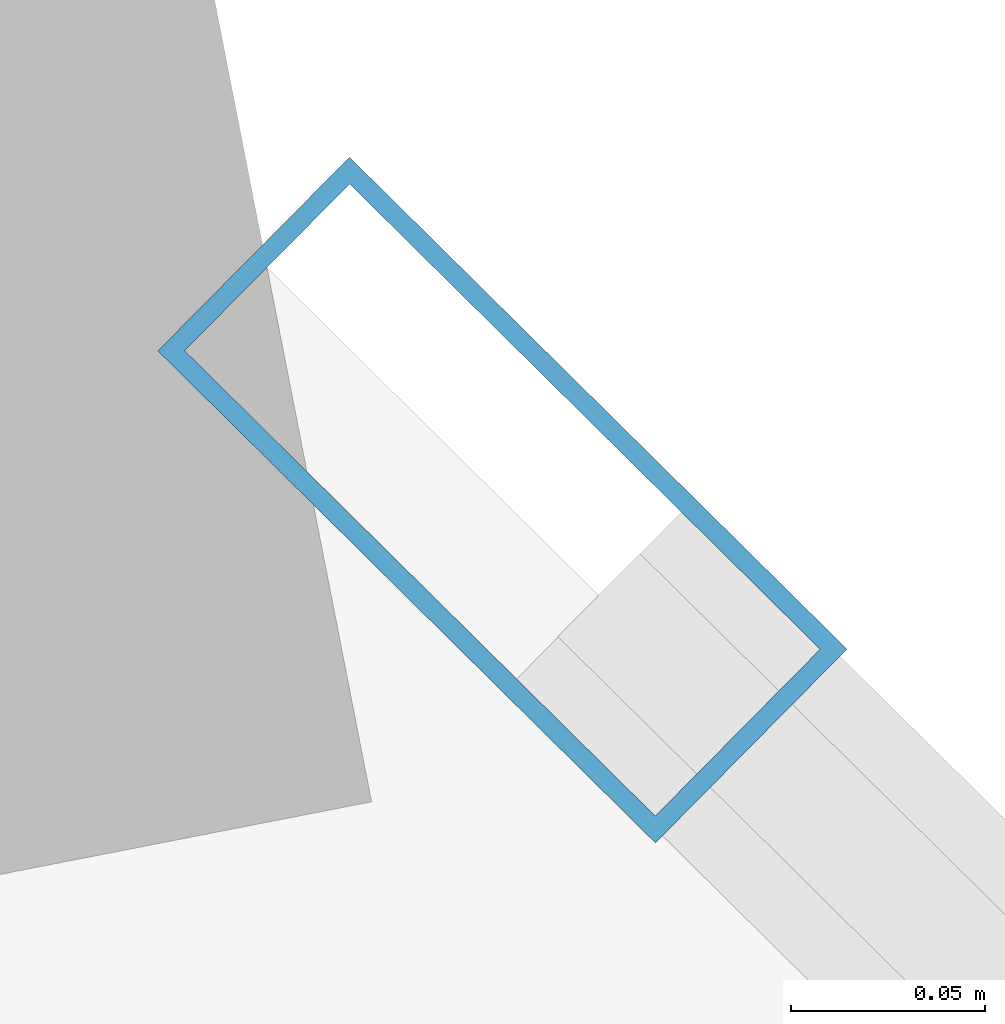
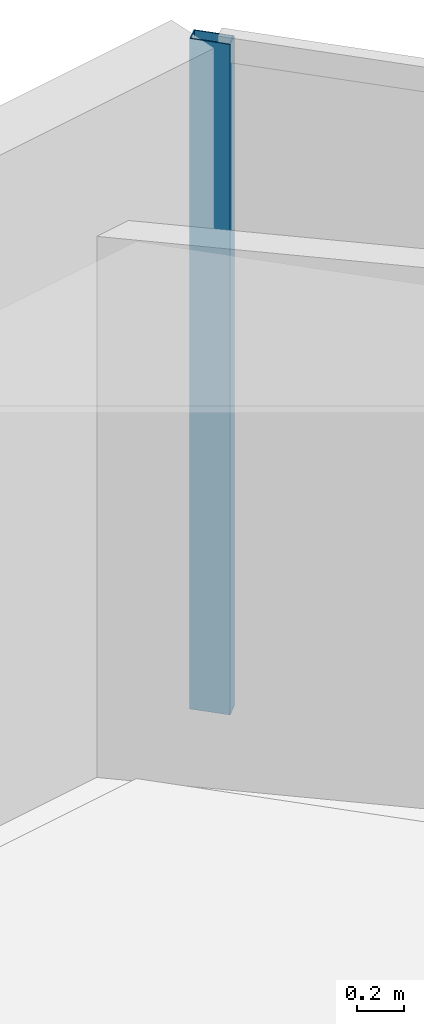
# One storey, part 16 of 24: 1 member, 1 element without a shape of its own.
"""IFC4 building model written with IfcOpenShell, lengths in metres."""

from ifc_helpers import new_model, si_unit, direction, frame, origin, origin_2d, place, context, subcontext, project, spatial, hollow_rectangle, extrude, material, layer, layer_set, material_profile, profile_set, type_object, element, aggregate, save


model = new_model("IFC4")

# Units and contexts
model_context = context("Model", 3, precision=1e-05, world=origin(), true_north=direction((0.0, 1.0)))
body_context = subcontext(model_context, "Body", "Model", "MODEL_VIEW")
ifc_project = project(units=[si_unit("LENGTHUNIT", "METRE"), si_unit("AREAUNIT", "SQUARE_METRE"), si_unit("VOLUMEUNIT", "CUBIC_METRE"), si_unit("PLANEANGLEUNIT", "RADIAN"), si_unit("MASSUNIT", "GRAM", prefix="KILO")], contexts=[model_context])

# Site, building, storey
site_placement = place(None, origin())
site = spatial("IfcSite", under=ifc_project, at=site_placement, CompositionType="ELEMENT")
building_placement = place(site_placement, origin())
building = spatial("IfcBuilding", under=site, at=building_placement, Name="Qianvela Tower", CompositionType="ELEMENT")
storey_placement = place(building_placement, frame((0.0, 0.0, 59.89990234375)))
storey = spatial("IfcBuildingStorey", under=building, at=storey_placement, Name="L14", CompositionType="ELEMENT", Elevation=59.89990234375)

# Curtain wall, member
ifc_material_1 = material(Name="Anodised Architectural Aluminium and Low-E Glass", Category="aluminium")
ifc_layer = layer(ifc_material_1, 0.179931640625)
ifc_layer_set = layer_set([ifc_layer], Name="Anodised Architectural Aluminium and Low-E Glass")
curtain_wall_type = type_object("IfcCurtainWallType", Name="CW-COLIV-Z12", PredefinedType="USERDEFINED", material=ifc_layer_set)
curtain_wall_placement = place(storey_placement, origin())
curtain_wall = element("IfcCurtainWall", 1, at=curtain_wall_placement, inside=storey, type_object=curtain_wall_type, Name="L14 CW-COLIV-Z12 Curtain Wall 02C", ObjectType="CURTAIN_WALL_SYSTEM", PredefinedType="USERDEFINED")
ifc_material_2 = material(Name="Anodised Architectural Aluminium 6063-T6", Category="aluminium")
ifc_material_profile = material_profile(ifc_material_2, hollow_rectangle(XDim=0.070068359375, YDim=0.179931640625, WallThickness=0.0048828125, at=origin_2d()), Name="ALU-MULL-70x180")
ifc_profile_set = profile_set([ifc_material_profile], Name="Anodised Architectural Aluminium 6063-T6")
member_type = type_object("IfcMemberType", Name="CW-COLIV-Z12-MULL", PredefinedType="MULLION", material=ifc_profile_set)
member_placement = place(storey_placement, frame((37.49169921875, 44.650146484375, 0.0), z_axis=(0.0, 0.0, 1.0), x_axis=(-0.703059764142, -0.71113076719, 0.0)))
member = element("IfcMember", 2, at=member_placement, type_object=member_type, Name="CW-3 mullion 2", PredefinedType="MULLION", context=body_context, shape_type="SweptSolid", body=[
    extrude(hollow_rectangle(XDim=0.070068359375, YDim=0.179931640625, WallThickness=0.0048828125, at=origin_2d()), origin(), (0.0, 0.0, 1.0), 3.52001953125),
])
aggregate(curtain_wall, [member])

save(model, "model.ifc")
